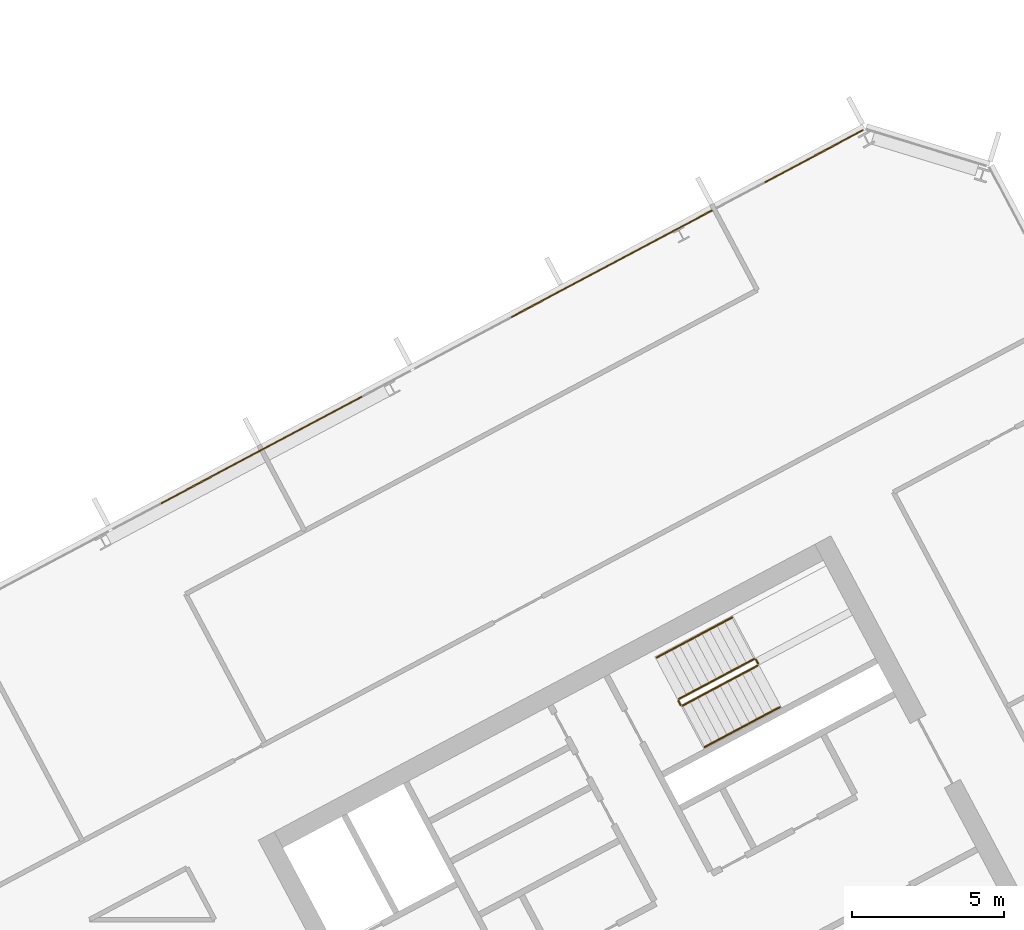
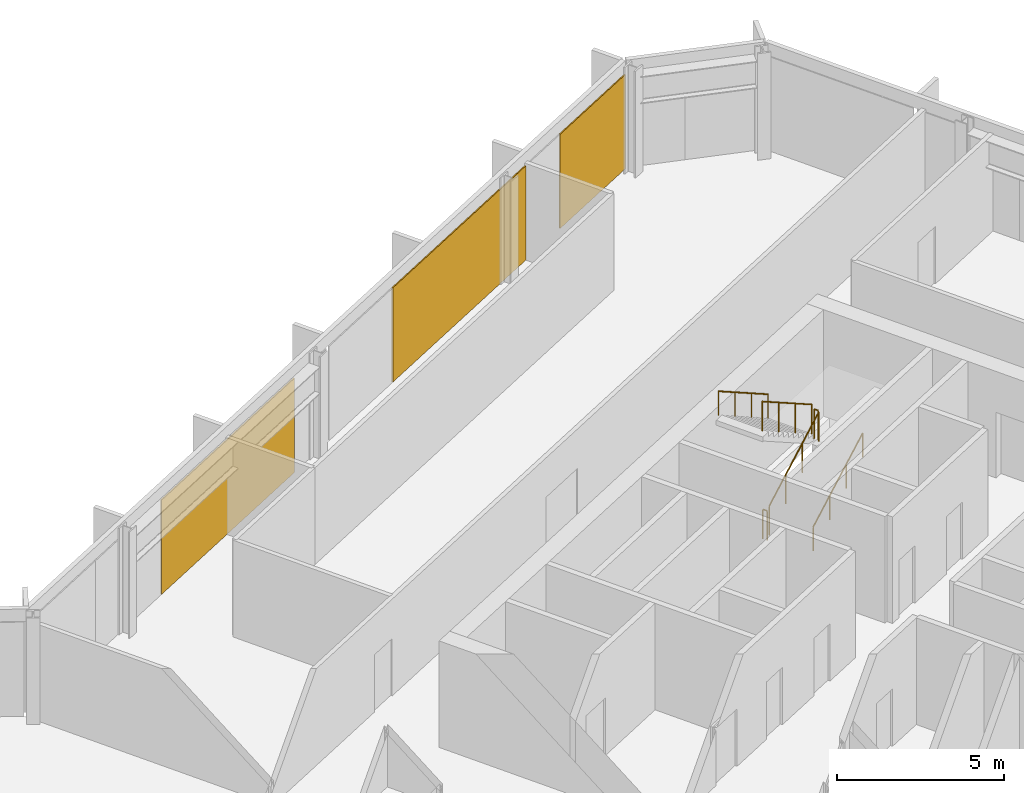
# One storey, part 25 of 26: 6 railings, 3 coverings, 1 element without a shape of its own.
"""IFC4 building model written with IfcOpenShell, lengths in metres."""

from ifc_helpers import new_model, si_unit, direction, frame, origin, origin_2d, place, context, subcontext, project, spatial, polyline, rectangle, outline, extrude, material, layer, layer_set, type_object, element, aggregate, save


model = new_model("IFC4")

# Units and contexts
model_context = context("Model", 3, precision=1e-05, world=origin(), true_north=direction((0.0, 1.0)))
body_context = subcontext(model_context, "Body", "Model", "MODEL_VIEW")
ifc_project = project(units=[si_unit("LENGTHUNIT", "METRE"), si_unit("AREAUNIT", "SQUARE_METRE"), si_unit("VOLUMEUNIT", "CUBIC_METRE"), si_unit("PLANEANGLEUNIT", "RADIAN"), si_unit("MASSUNIT", "GRAM", prefix="KILO")], contexts=[model_context])

# Site, building, storey
site_placement = place(None, origin())
site = spatial("IfcSite", under=ifc_project, at=site_placement, CompositionType="ELEMENT")
building_placement = place(site_placement, origin())
building = spatial("IfcBuilding", under=site, at=building_placement, Name="Cormorant Relay Tower", CompositionType="ELEMENT")
storey_placement = place(building_placement, frame((0.0, 0.0, 236.39990234375)))
storey = spatial("IfcBuildingStorey", under=building, at=storey_placement, Name="L52", CompositionType="ELEMENT", Elevation=236.39990234375)

# Curtain wall, coverings
ifc_material_1 = material(Name="Aluminium 6063-T6 anodised bronze", Category="aluminium")
ifc_layer_1 = layer(ifc_material_1, 0.199951171875)
ifc_layer_set_1 = layer_set([ifc_layer_1], Name="CW1 unitised bronze curtain wall with vertical fins")
curtain_wall_type = type_object("IfcCurtainWallType", Name="CW1 unitised bronze curtain wall with vertical fins", PredefinedType="NOTDEFINED", material=ifc_layer_set_1)
curtain_wall_placement = place(storey_placement, origin())
curtain_wall = element("IfcCurtainWall", 1, at=curtain_wall_placement, inside=storey, type_object=curtain_wall_type, Name="CW1 curtain wall 8", PredefinedType="NOTDEFINED")
ifc_material_2 = material(Name="Pale bronze anodised aluminium insulated panel", Category="aluminium")
ifc_layer_2 = layer(ifc_material_2, 0.0400390625)
ifc_layer_set_2 = layer_set([ifc_layer_2], Name="CW1 pale bronze insulated panel 40")
covering_type = type_object("IfcCoveringType", Name="CW1 pale bronze insulated panel 40", PredefinedType="CLADDING", material=ifc_layer_set_2)
covering_1_placement = place(storey_placement, frame((28.16943359375, 38.78466796875, 0.0), z_axis=(0.0, 0.0, 1.0), x_axis=(-0.882947592859, -0.469471562786, 0.0)))
covering_1 = element("IfcCovering", 2, at=covering_1_placement, type_object=covering_type, Name="CW1 panel S00", PredefinedType="CLADDING", context=body_context, shape_type="SweptSolid", body=[
    extrude(rectangle(XDim=3.68896484375, YDim=0.0400390625, at=origin_2d()), origin(), (0.0, 0.0, 1.0), 3.449951171875),
])
covering_2_placement = place(storey_placement, frame((21.49560546875, 35.236083984375, 0.0), z_axis=(0.0, 0.0, 1.0), x_axis=(-0.882947592859, -0.469471562786, 0.0)))
covering_2 = element("IfcCovering", 3, at=covering_2_placement, type_object=covering_type, Name="CW1 panel S02", PredefinedType="CLADDING", context=body_context, shape_type="SweptSolid", body=[
    extrude(rectangle(XDim=7.528076171875, YDim=0.0400390625, at=origin_2d()), origin(), (0.0, 0.0, 1.0), 3.449951171875),
])
covering_3_placement = place(storey_placement, frame((9.948486328125, 29.09619140625, 0.0), z_axis=(0.0, 0.0, 1.0), x_axis=(-0.882947592859, -0.469471562786, 0.0)))
covering_3 = element("IfcCovering", 4, at=covering_3_placement, type_object=covering_type, Name="CW1 panel S05", PredefinedType="CLADDING", context=body_context, shape_type="SweptSolid", body=[
    extrude(rectangle(XDim=7.528076171875, YDim=0.0400390625, at=origin_2d()), origin(), (0.0, 0.0, 1.0), 3.449951171875),
])
aggregate(curtain_wall, [covering_1, covering_2, covering_3])

# Railings
ifc_material_3 = material(Name="Steel ASTM A572 Grade 50 (Fy 345 MPa)", Category="steel")
railing_type_1 = type_object("IfcRailingType", Name="Stair guard 1100", PredefinedType="GUARDRAIL", material=ifc_material_3)
railing_1_placement = place(storey_placement, frame((23.8408203125, 20.6611328125, 0.177490234375)))
element("IfcRailing", 5, at=railing_1_placement, inside=storey, type_object=railing_type_1, Name="L52 B2 stair guard 1", PredefinedType="GUARDRAIL", context=body_context, shape_type="SweptSolid", body=[
    extrude(outline(polyline([(0.022216796875, 0.00927734375), (0.00927734375, 0.022216796875), (-0.00927734375, 0.022216796875), (-0.022216796875, 0.00927734375), (-0.022216796875, -0.00927734375), (-0.00927734375, -0.022216796875), (0.00927734375, -0.022216796875), (0.022216796875, -0.00927734375), (0.022216796875, 0.00927734375)])), frame((0.0, 0.0, 1.076171875), z_axis=(0.746033882577, 0.396627473466, 0.534901947407), x_axis=(-0.469429322983, 0.882970050864, 0.0)), (0.0, 0.0, 1.0), 3.31396484375),
    extrude(outline(polyline([(0.019287109375, 0.008056640625), (0.008056640625, 0.019287109375), (-0.008056640625, 0.019287109375), (-0.019287109375, 0.008056640625), (-0.019287109375, -0.008056640625), (-0.008056640625, -0.019287109375), (0.008056640625, -0.019287109375), (0.019287109375, -0.008056640625), (0.019287109375, 0.008056640625)])), origin(), (0.0, 0.0, 1.0), 1.052001953125),
    extrude(outline(polyline([(0.019287109375, 0.008056640625), (0.008056640625, 0.019287109375), (-0.008056640625, 0.019287109375), (-0.019287109375, 0.008056640625), (-0.019287109375, -0.008056640625), (-0.008056640625, -0.019287109375), (0.008056640625, -0.019287109375), (0.019287109375, -0.008056640625), (0.019287109375, 0.008056640625)])), frame((0.82421875, 0.438232421875, 0.5908203125)), (0.0, 0.0, 1.0), 1.052001953125),
    extrude(outline(polyline([(0.019287109375, 0.008056640625), (0.008056640625, 0.019287109375), (-0.008056640625, 0.019287109375), (-0.019287109375, 0.008056640625), (-0.019287109375, -0.008056640625), (-0.008056640625, -0.019287109375), (0.008056640625, -0.019287109375), (0.019287109375, -0.008056640625), (0.019287109375, 0.008056640625)])), frame((1.648193359375, 0.876220703125, 1.181884765625)), (0.0, 0.0, 1.0), 1.052001953125),
    extrude(outline(polyline([(0.019287109375, 0.008056640625), (0.008056640625, 0.019287109375), (-0.008056640625, 0.019287109375), (-0.019287109375, 0.008056640625), (-0.019287109375, -0.008056640625), (-0.008056640625, -0.019287109375), (0.008056640625, -0.019287109375), (0.019287109375, -0.008056640625), (0.019287109375, 0.008056640625)])), frame((2.472412109375, 1.314453125, 1.772705078125)), (0.0, 0.0, 1.0), 1.052001953125),
])
railing_2_placement = place(storey_placement, frame((26.333740234375, 22.043212890625, 1.9501953125)))
element("IfcRailing", 6, at=railing_2_placement, inside=storey, type_object=railing_type_1, Name="L52 B2 stair guard 2", PredefinedType="GUARDRAIL", context=body_context, shape_type="SweptSolid", body=[
    extrude(outline(polyline([(0.022216796875, 0.00927734375), (0.00927734375, 0.022216796875), (-0.00927734375, 0.022216796875), (-0.022216796875, 0.00927734375), (-0.022216796875, -0.00927734375), (-0.00927734375, -0.022216796875), (0.00927734375, -0.022216796875), (0.022216796875, -0.00927734375), (0.022216796875, 0.00927734375)])), frame((0.0, 0.0, 1.076171875), z_axis=(-0.469234640946, 0.883073525669, 0.0), x_axis=(-0.883073525669, -0.469234640946, 0.0)), (0.0, 0.0, 1.0), 0.14990234375),
    extrude(outline(polyline([(0.019287109375, 0.008056640625), (0.008056640625, 0.019287109375), (-0.008056640625, 0.019287109375), (-0.019287109375, 0.008056640625), (-0.019287109375, -0.008056640625), (-0.008056640625, -0.019287109375), (0.008056640625, -0.019287109375), (0.019287109375, -0.008056640625), (0.019287109375, 0.008056640625)])), origin(), (0.0, 0.0, 1.0), 1.052001953125),
    extrude(outline(polyline([(0.019287109375, 0.008056640625), (0.008056640625, 0.019287109375), (-0.008056640625, 0.019287109375), (-0.019287109375, 0.008056640625), (-0.019287109375, -0.008056640625), (-0.008056640625, -0.019287109375), (0.008056640625, -0.019287109375), (0.019287109375, -0.008056640625), (0.019287109375, 0.008056640625)])), frame((-0.0703125, 0.13232421875, 0.0)), (0.0, 0.0, 1.0), 1.052001953125),
])
railing_3_placement = place(storey_placement, frame((26.19580078125, 22.1962890625, 2.12744140625)))
element("IfcRailing", 7, at=railing_3_placement, inside=storey, type_object=railing_type_1, Name="L52 B2 stair guard 3", PredefinedType="GUARDRAIL", context=body_context, shape_type="SweptSolid", body=[
    extrude(outline(polyline([(0.022216796875, 0.00927734375), (0.00927734375, 0.022216796875), (-0.00927734375, 0.022216796875), (-0.022216796875, 0.00927734375), (-0.022216796875, -0.00927734375), (-0.00927734375, -0.022216796875), (0.00927734375, -0.022216796875), (0.022216796875, -0.00927734375), (0.022216796875, 0.00927734375)])), frame((0.0, 0.0, 1.076171875), z_axis=(-0.746033882577, -0.396627473466, 0.534901947407), x_axis=(0.469429322983, -0.882970050864, 0.0)), (0.0, 0.0, 1.0), 3.31396484375),
    extrude(outline(polyline([(0.019287109375, 0.008056640625), (0.008056640625, 0.019287109375), (-0.008056640625, 0.019287109375), (-0.019287109375, 0.008056640625), (-0.019287109375, -0.008056640625), (-0.008056640625, -0.019287109375), (0.008056640625, -0.019287109375), (0.019287109375, -0.008056640625), (0.019287109375, 0.008056640625)])), origin(), (0.0, 0.0, 1.0), 1.052001953125),
    extrude(outline(polyline([(0.019287109375, 0.008056640625), (0.008056640625, 0.019287109375), (-0.008056640625, 0.019287109375), (-0.019287109375, 0.008056640625), (-0.019287109375, -0.008056640625), (-0.008056640625, -0.019287109375), (0.008056640625, -0.019287109375), (0.019287109375, -0.008056640625), (0.019287109375, 0.008056640625)])), frame((-0.82421875, -0.438232421875, 0.5908203125)), (0.0, 0.0, 1.0), 1.052001953125),
    extrude(outline(polyline([(0.019287109375, 0.008056640625), (0.008056640625, 0.019287109375), (-0.008056640625, 0.019287109375), (-0.019287109375, 0.008056640625), (-0.019287109375, -0.008056640625), (-0.008056640625, -0.019287109375), (0.008056640625, -0.019287109375), (0.019287109375, -0.008056640625), (0.019287109375, 0.008056640625)])), frame((-1.648193359375, -0.876220703125, 1.181884765625)), (0.0, 0.0, 1.0), 1.052001953125),
    extrude(outline(polyline([(0.019287109375, 0.008056640625), (0.008056640625, 0.019287109375), (-0.008056640625, 0.019287109375), (-0.019287109375, 0.008056640625), (-0.019287109375, -0.008056640625), (-0.008056640625, -0.019287109375), (0.008056640625, -0.019287109375), (0.019287109375, -0.008056640625), (0.019287109375, 0.008056640625)])), frame((-2.472412109375, -1.314453125, 1.772705078125)), (0.0, 0.0, 1.0), 1.052001953125),
])
railing_4_placement = place(storey_placement, frame((23.773193359375, 20.681640625, 0.0)))
element("IfcRailing", 8, at=railing_4_placement, inside=storey, type_object=railing_type_1, Name="L52 B2 stair guard 4", PredefinedType="GUARDRAIL", context=body_context, shape_type="SweptSolid", body=[
    extrude(outline(polyline([(0.022216796875, 0.00927734375), (0.00927734375, 0.022216796875), (-0.00927734375, 0.022216796875), (-0.022216796875, 0.00927734375), (-0.022216796875, -0.00927734375), (-0.00927734375, -0.022216796875), (0.00927734375, -0.022216796875), (0.022216796875, -0.00927734375), (0.022216796875, 0.00927734375)])), frame((0.0, 0.0, 1.076171875), z_axis=(-0.46856034887, 0.8834314911, 0.0), x_axis=(-0.8834314911, -0.46856034887, 0.0)), (0.0, 0.0, 1.0), 0.150146484375),
    extrude(outline(polyline([(0.019287109375, 0.008056640625), (0.008056640625, 0.019287109375), (-0.008056640625, 0.019287109375), (-0.019287109375, 0.008056640625), (-0.019287109375, -0.008056640625), (-0.008056640625, -0.019287109375), (0.008056640625, -0.019287109375), (0.019287109375, -0.008056640625), (0.019287109375, 0.008056640625)])), origin(), (0.0, 0.0, 1.0), 1.052001953125),
    extrude(outline(polyline([(0.019287109375, 0.008056640625), (0.008056640625, 0.019287109375), (-0.008056640625, 0.019287109375), (-0.019287109375, 0.008056640625), (-0.019287109375, -0.008056640625), (-0.008056640625, -0.019287109375), (0.008056640625, -0.019287109375), (0.019287109375, -0.008056640625), (0.019287109375, 0.008056640625)])), frame((-0.0703125, 0.132568359375, 0.0)), (0.0, 0.0, 1.0), 1.052001953125),
])
ifc_material_4 = material(Name="Steel ASTM A572 Grade 50 (Fy 345 MPa)", Category="steel")
railing_type_2 = type_object("IfcRailingType", Name="Stair handrail 900", PredefinedType="HANDRAIL", material=ifc_material_4)
railing_5_placement = place(storey_placement, frame((24.568603515625, 19.29248046875, 0.177490234375)))
element("IfcRailing", 9, at=railing_5_placement, inside=storey, type_object=railing_type_2, Name="L52 B2 stair handrail 1", PredefinedType="HANDRAIL", context=body_context, shape_type="SweptSolid", body=[
    extrude(outline(polyline([(0.022216796875, 0.00927734375), (0.00927734375, 0.022216796875), (-0.00927734375, 0.022216796875), (-0.022216796875, 0.00927734375), (-0.022216796875, -0.00927734375), (-0.00927734375, -0.022216796875), (0.00927734375, -0.022216796875), (0.022216796875, -0.00927734375), (0.022216796875, 0.00927734375)])), frame((0.0, 0.0, 0.8759765625), z_axis=(0.746001213114, 0.396649272309, 0.534931345884), x_axis=(-0.469465464807, 0.882950835185, 0.0)), (0.0, 0.0, 1.0), 3.31396484375),
    extrude(outline(polyline([(0.019287109375, 0.008056640625), (0.008056640625, 0.019287109375), (-0.008056640625, 0.019287109375), (-0.019287109375, 0.008056640625), (-0.019287109375, -0.008056640625), (-0.008056640625, -0.019287109375), (0.008056640625, -0.019287109375), (0.019287109375, -0.008056640625), (0.019287109375, 0.008056640625)])), origin(), (0.0, 0.0, 1.0), 0.851806640625),
    extrude(outline(polyline([(0.019287109375, 0.008056640625), (0.008056640625, 0.019287109375), (-0.008056640625, 0.019287109375), (-0.019287109375, 0.008056640625), (-0.019287109375, -0.008056640625), (-0.008056640625, -0.019287109375), (0.008056640625, -0.019287109375), (0.019287109375, -0.008056640625), (0.019287109375, 0.008056640625)])), frame((0.823974609375, 0.438232421875, 0.5908203125)), (0.0, 0.0, 1.0), 0.851806640625),
    extrude(outline(polyline([(0.019287109375, 0.008056640625), (0.008056640625, 0.019287109375), (-0.008056640625, 0.019287109375), (-0.019287109375, 0.008056640625), (-0.019287109375, -0.008056640625), (-0.008056640625, -0.019287109375), (0.008056640625, -0.019287109375), (0.019287109375, -0.008056640625), (0.019287109375, 0.008056640625)])), frame((1.648193359375, 0.876220703125, 1.181884765625)), (0.0, 0.0, 1.0), 0.851806640625),
    extrude(outline(polyline([(0.019287109375, 0.008056640625), (0.008056640625, 0.019287109375), (-0.008056640625, 0.019287109375), (-0.019287109375, 0.008056640625), (-0.019287109375, -0.008056640625), (-0.008056640625, -0.019287109375), (0.008056640625, -0.019287109375), (0.019287109375, -0.008056640625), (0.019287109375, 0.008056640625)])), frame((2.47216796875, 1.314453125, 1.772705078125)), (0.0, 0.0, 1.0), 0.851806640625),
])
railing_6_placement = place(storey_placement, frame((25.468017578125, 23.56494140625, 2.12744140625)))
element("IfcRailing", 10, at=railing_6_placement, inside=storey, type_object=railing_type_2, Name="L52 B2 stair handrail 2", PredefinedType="HANDRAIL", context=body_context, shape_type="SweptSolid", body=[
    extrude(outline(polyline([(0.022216796875, 0.00927734375), (0.00927734375, 0.022216796875), (-0.00927734375, 0.022216796875), (-0.022216796875, 0.00927734375), (-0.022216796875, -0.00927734375), (-0.00927734375, -0.022216796875), (0.00927734375, -0.022216796875), (0.022216796875, -0.00927734375), (0.022216796875, 0.00927734375)])), frame((0.0, 0.0, 0.8759765625), z_axis=(-0.745979412481, -0.396711350603, 0.534915713414), x_axis=(0.469533439143, -0.882914689835, 0.0)), (0.0, 0.0, 1.0), 3.31396484375),
    extrude(outline(polyline([(0.019287109375, 0.008056640625), (0.008056640625, 0.019287109375), (-0.008056640625, 0.019287109375), (-0.019287109375, 0.008056640625), (-0.019287109375, -0.008056640625), (-0.008056640625, -0.019287109375), (0.008056640625, -0.019287109375), (0.019287109375, -0.008056640625), (0.019287109375, 0.008056640625)])), origin(), (0.0, 0.0, 1.0), 0.851806640625),
    extrude(outline(polyline([(0.019287109375, 0.008056640625), (0.008056640625, 0.019287109375), (-0.008056640625, 0.019287109375), (-0.019287109375, 0.008056640625), (-0.019287109375, -0.008056640625), (-0.008056640625, -0.019287109375), (0.008056640625, -0.019287109375), (0.019287109375, -0.008056640625), (0.019287109375, 0.008056640625)])), frame((-0.823974609375, -0.438232421875, 0.5908203125)), (0.0, 0.0, 1.0), 0.851806640625),
    extrude(outline(polyline([(0.019287109375, 0.008056640625), (0.008056640625, 0.019287109375), (-0.008056640625, 0.019287109375), (-0.019287109375, 0.008056640625), (-0.019287109375, -0.008056640625), (-0.008056640625, -0.019287109375), (0.008056640625, -0.019287109375), (0.019287109375, -0.008056640625), (0.019287109375, 0.008056640625)])), frame((-1.648193359375, -0.87646484375, 1.181884765625)), (0.0, 0.0, 1.0), 0.851806640625),
    extrude(outline(polyline([(0.019287109375, 0.008056640625), (0.008056640625, 0.019287109375), (-0.008056640625, 0.019287109375), (-0.019287109375, 0.008056640625), (-0.019287109375, -0.008056640625), (-0.008056640625, -0.019287109375), (0.008056640625, -0.019287109375), (0.019287109375, -0.008056640625), (0.019287109375, 0.008056640625)])), frame((-2.47216796875, -1.314697265625, 1.772705078125)), (0.0, 0.0, 1.0), 0.851806640625),
])

save(model, "model.ifc")
